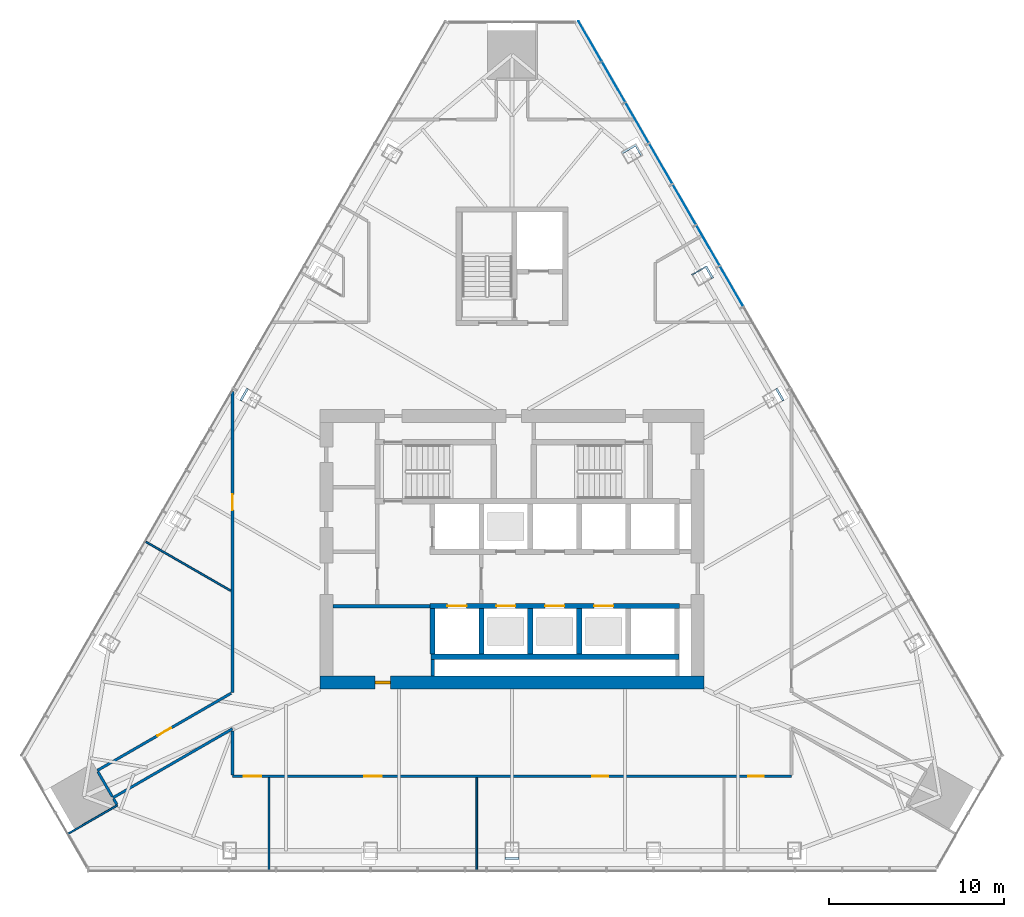
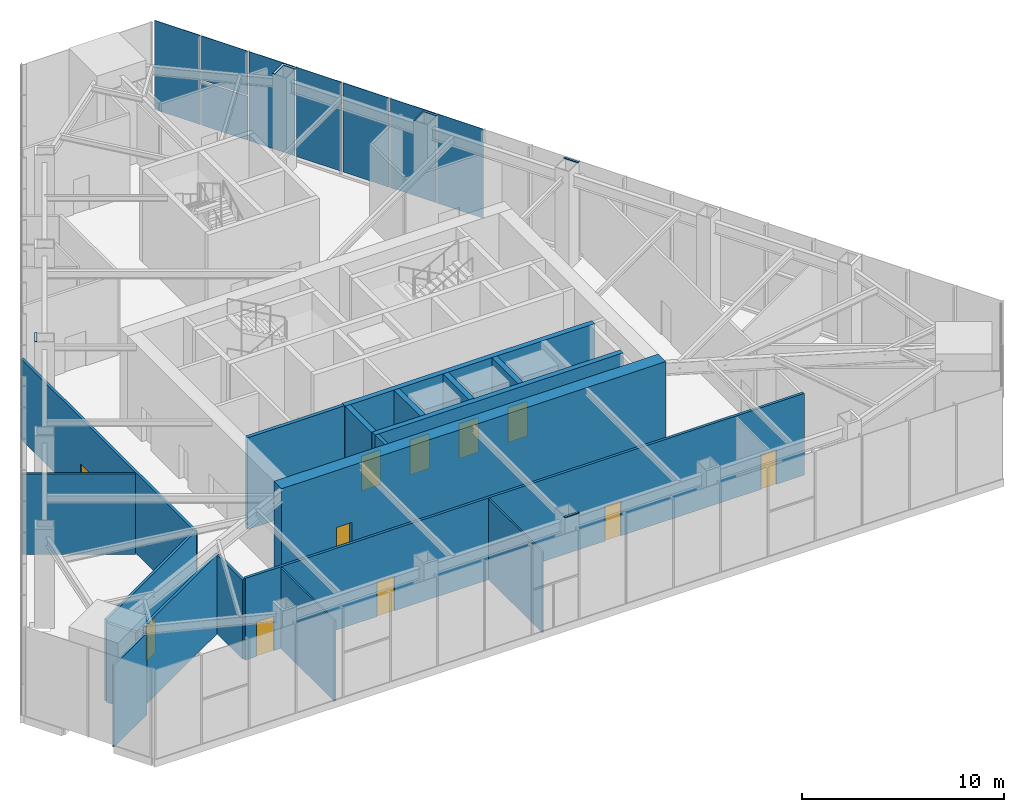
# One storey, part 10 of 16: 20 walls, 13 plates, 11 doors, 11 openings, 1 element without a shape of its own.
"""IFC4 building model written with IfcOpenShell, lengths in metres."""

from ifc_helpers import new_model, si_unit, direction, frame, frame_2d, origin, place, context, subcontext, project, spatial, polyline, rectangle, outline, extrude, material, layer, layer_set, type_object, element, fill, aggregate, save


model = new_model("IFC4")

# Units and contexts
model_context = context("Model", 3, precision=1e-05, world=origin(), true_north=direction((0.0, 1.0)))
body_context = subcontext(model_context, "Body", "Model", "MODEL_VIEW")
ifc_project = project(units=[si_unit("LENGTHUNIT", "METRE"), si_unit("AREAUNIT", "SQUARE_METRE"), si_unit("VOLUMEUNIT", "CUBIC_METRE"), si_unit("PLANEANGLEUNIT", "RADIAN"), si_unit("MASSUNIT", "GRAM", prefix="KILO")], contexts=[model_context])

# Site, building, storey
site_placement = place(None, origin())
site = spatial("IfcSite", under=ifc_project, at=site_placement, CompositionType="ELEMENT")
building_placement = place(site_placement, origin())
building = spatial("IfcBuilding", under=site, at=building_placement, Name="Firuza Gate Tower and Library", CompositionType="ELEMENT")
storey_placement = place(building_placement, frame((0.0, 0.0, 241.60009765625)))
storey = spatial("IfcBuildingStorey", under=building, at=storey_placement, Name="L57", CompositionType="ELEMENT", Elevation=241.60009765625)

# Plates
ifc_material_1 = material(Name="Steel S355", Category="steel")
ifc_layer_1 = layer(ifc_material_1, 0.030029296875)
ifc_layer_set_1 = layer_set([ifc_layer_1], Name="Column infill plate 30 Steel S355")
plate_type_1 = type_object("IfcPlateType", Name="Column infill plate 30 Steel S355", PredefinedType="SHEET", material=ifc_layer_set_1)
placement = place(storey_placement, frame((0.0, 0.0, 6.0)))
element("IfcPlate", 1, at=placement, inside=storey, type_object=plate_type_1, Name="Infill plate L57:S3", PredefinedType="SHEET", context=body_context, shape_type="SweptSolid", body=[
    extrude(outline(polyline([(75.39990234375, 57.235107421875), (75.39990234375, 57.35791015625), (74.60009765625, 57.35791015625), (74.60009765625, 57.235107421875), (75.39990234375, 57.235107421875)])), origin(), (0.0, 0.0, 1.0), 0.02978515625),
])
element("IfcPlate", 2, at=placement, inside=storey, type_object=plate_type_1, Name="Infill plate L57:E3", PredefinedType="SHEET", context=body_context, shape_type="SweptSolid", body=[
    extrude(outline(polyline([(89.31884765625, 83.728759765625), (89.31884765625, 83.728759765625), (90.07861328125, 84.16748046875), (90.478515625, 83.474609375), (90.584716796875, 83.535888671875), (90.184814453125, 84.228759765625), (89.31884765625, 83.728759765625)])), origin(), (0.0, 0.0, 1.0), 0.02978515625),
])
element("IfcPlate", 3, at=placement, inside=storey, type_object=plate_type_1, Name="Infill plate L57:E4", PredefinedType="SHEET", context=body_context, shape_type="SweptSolid", body=[
    extrude(outline(polyline([(85.275146484375, 90.732666015625), (85.310546875, 90.67138671875), (86.0703125, 91.110107421875), (86.434814453125, 90.478759765625), (86.541015625, 90.5400390625), (86.14111328125, 91.232666015625), (85.275146484375, 90.732666015625)])), origin(), (0.0, 0.0, 1.0), 0.02978515625),
])
element("IfcPlate", 4, at=placement, inside=storey, type_object=plate_type_1, Name="Infill plate L57:E5", PredefinedType="SHEET", context=body_context, shape_type="SweptSolid", body=[
    extrude(outline(polyline([(81.231201171875, 97.73681640625), (81.302001953125, 97.614013671875), (82.06201171875, 98.052734375), (82.39111328125, 97.482666015625), (82.497314453125, 97.5439453125), (82.097412109375, 98.23681640625), (81.231201171875, 97.73681640625)])), origin(), (0.0, 0.0, 1.0), 0.02978515625),
])
element("IfcPlate", 5, at=placement, inside=storey, type_object=plate_type_1, Name="Infill plate L57:W3", PredefinedType="SHEET", context=body_context, shape_type="SweptSolid", body=[
    extrude(outline(polyline([(59.415283203125, 83.535888671875), (59.521484375, 83.474609375), (59.92138671875, 84.16748046875), (60.68115234375, 83.728759765625), (60.68115234375, 83.728759765625), (59.815185546875, 84.228759765625), (59.415283203125, 83.535888671875)])), origin(), (0.0, 0.0, 1.0), 0.02978515625),
])

# Curtain wall, plates
ifc_material_2 = material(Name="Aluminium 6063-T6", Category="aluminium")
ifc_layer_2 = layer(ifc_material_2, 0.14990234375)
ifc_layer_set_2 = layer_set([ifc_layer_2], Name="Unitised curtain wall, hotel")
curtain_wall_type = type_object("IfcCurtainWallType", Name="Unitised curtain wall, hotel", PredefinedType="NOTDEFINED", material=ifc_layer_set_2)
curtain_wall_placement = place(storey_placement, origin())
curtain_wall = element("IfcCurtainWall", 6, at=curtain_wall_placement, inside=storey, type_object=curtain_wall_type, Name="CW2 L57 E face", PredefinedType="NOTDEFINED")
ifc_material_3 = material(Name="Fritted glass", Category="glass")
ifc_layer_3 = layer(ifc_material_3, 0.030029296875)
ifc_layer_set_3 = layer_set([ifc_layer_3], Name="Fritted glass unit, hotel")
plate_type_2 = type_object("IfcPlateType", Name="Fritted glass unit, hotel", PredefinedType="CURTAIN_PANEL", material=ifc_layer_set_3)
plate_6_placement = place(storey_placement, frame((81.484130859375, 100.618896484375, 2.889892578125), z_axis=(0.866027344229, 0.499996639036, 0.0), x_axis=(-0.499996639036, 0.866027344229, 0.0)))
plate_6 = element("IfcPlate", 7, at=plate_6_placement, type_object=plate_type_2, Name="Glass unit", PredefinedType="CURTAIN_PANEL", context=body_context, shape_type="SweptSolid", body=[
    extrude(outline(polyline([(0.0, 0.0), (2.6206230843898872, 0.0), (2.6206230843898872, 2.659912109375), (0.0, 2.659912109375), (0.0, 0.0)])), origin(), (0.0, 0.0, -1.0), 0.030029296875),
])
ifc_material_4 = material(Name="Glazed ceramic tile")
ifc_layer_4 = layer(ifc_material_4, 0.030029296875)
ifc_layer_set_4 = layer_set([ifc_layer_4], Name="Opaque ceramic panel, hotel")
plate_type_3 = type_object("IfcPlateType", Name="Opaque ceramic panel, hotel", PredefinedType="CURTAIN_PANEL", material=ifc_layer_set_4)
plate_7_placement = place(storey_placement, frame((88.23583984375, 88.9248046875, 0.14990234375), z_axis=(0.866027344229, 0.499996639036, 0.0), x_axis=(-0.499996639036, 0.866027344229, 0.0)))
plate_7 = element("IfcPlate", 8, at=plate_7_placement, type_object=plate_type_3, Name="Opaque ceramic panel", PredefinedType="CURTAIN_PANEL", context=body_context, shape_type="SweptSolid", body=[
    extrude(outline(polyline([(0.0, 0.0), (2.6206230843898872, 0.0), (2.6206230843898872, 5.39990234375), (0.0, 5.39990234375), (0.0, 0.0)])), origin(), (0.0, 0.0, -1.0), 0.030029296875),
])
plate_8_placement = place(storey_placement, frame((86.885498046875, 91.263427734375, 0.14990234375), z_axis=(0.866027344229, 0.499996639036, 0.0), x_axis=(-0.499996639036, 0.866027344229, 0.0)))
plate_8 = element("IfcPlate", 9, at=plate_8_placement, type_object=plate_type_3, Name="Opaque ceramic panel", PredefinedType="CURTAIN_PANEL", context=body_context, shape_type="SweptSolid", body=[
    extrude(outline(polyline([(0.0, 0.0), (2.6206230843898872, 0.0), (2.6206230843898872, 5.39990234375), (0.0, 5.39990234375), (0.0, 0.0)])), origin(), (0.0, 0.0, -1.0), 0.030029296875),
])
plate_9_placement = place(storey_placement, frame((85.53515625, 93.602294921875, 0.14990234375), z_axis=(0.866027344229, 0.499996639036, 0.0), x_axis=(-0.499996639036, 0.866027344229, 0.0)))
plate_9 = element("IfcPlate", 10, at=plate_9_placement, type_object=plate_type_3, Name="Opaque ceramic panel", PredefinedType="CURTAIN_PANEL", context=body_context, shape_type="SweptSolid", body=[
    extrude(outline(polyline([(0.0, 0.0), (2.6206230843898872, 0.0), (2.6206230843898872, 5.39990234375), (0.0, 5.39990234375), (0.0, 0.0)])), origin(), (0.0, 0.0, -1.0), 0.030029296875),
])
plate_10_placement = place(storey_placement, frame((84.184814453125, 95.941162109375, 0.14990234375), z_axis=(0.866027344229, 0.499996639036, 0.0), x_axis=(-0.499996639036, 0.866027344229, 0.0)))
plate_10 = element("IfcPlate", 11, at=plate_10_placement, type_object=plate_type_3, Name="Opaque ceramic panel", PredefinedType="CURTAIN_PANEL", context=body_context, shape_type="SweptSolid", body=[
    extrude(outline(polyline([(0.0, 0.0), (2.6206230843898872, 0.0), (2.6206230843898872, 5.39990234375), (0.0, 5.39990234375), (0.0, 0.0)])), origin(), (0.0, 0.0, -1.0), 0.030029296875),
])
plate_11_placement = place(storey_placement, frame((82.83447265625, 98.280029296875, 0.14990234375), z_axis=(0.866027344229, 0.499996639036, 0.0), x_axis=(-0.499996639036, 0.866027344229, 0.0)))
plate_11 = element("IfcPlate", 12, at=plate_11_placement, type_object=plate_type_3, Name="Opaque ceramic panel", PredefinedType="CURTAIN_PANEL", context=body_context, shape_type="SweptSolid", body=[
    extrude(outline(polyline([(0.0, 0.0), (2.6206230843898872, 0.0), (2.6206230843898872, 5.39990234375), (0.0, 5.39990234375), (0.0, 0.0)])), origin(), (0.0, 0.0, -1.0), 0.030029296875),
])
plate_12_placement = place(storey_placement, frame((81.484130859375, 100.618896484375, 0.14990234375), z_axis=(0.866027344229, 0.499996639036, 0.0), x_axis=(-0.499996639036, 0.866027344229, 0.0)))
plate_12 = element("IfcPlate", 13, at=plate_12_placement, type_object=plate_type_3, Name="Opaque ceramic panel", PredefinedType="CURTAIN_PANEL", context=body_context, shape_type="SweptSolid", body=[
    extrude(outline(polyline([(0.0, 0.0), (2.6206230843898872, 0.0), (2.6206230843898872, 2.659912109375), (0.0, 2.659912109375), (0.0, 0.0)])), origin(), (0.0, 0.0, -1.0), 0.030029296875),
])
plate_13_placement = place(storey_placement, frame((80.1337890625, 102.95751953125, 0.14990234375), z_axis=(0.866027344229, 0.499996639036, 0.0), x_axis=(-0.499996639036, 0.866027344229, 0.0)))
plate_13 = element("IfcPlate", 14, at=plate_13_placement, type_object=plate_type_3, Name="Opaque ceramic panel", PredefinedType="CURTAIN_PANEL", context=body_context, shape_type="SweptSolid", body=[
    extrude(outline(polyline([(0.0, 0.0), (2.6206230843898872, 0.0), (2.6206230843898872, 5.39990234375), (0.0, 5.39990234375), (0.0, 0.0)])), origin(), (0.0, 0.0, -1.0), 0.030029296875),
])
aggregate(curtain_wall, [plate_7, plate_8, plate_9, plate_10, plate_11, plate_12, plate_6, plate_13])

# Walls
ifc_material_5 = material(Name="Plasterboard on steel studs", Category="steel")
ifc_layer_5 = layer(ifc_material_5, 0.199951171875)
ifc_layer_set_5 = layer_set([ifc_layer_5], Name="Core partition 200 EI 120")
wall_type_1 = type_object("IfcWallType", Name="Core partition 200 EI 120", PredefinedType="PARTITIONING", material=ifc_layer_set_5)
wall_1_placement = place(storey_placement, frame((64.75, 71.75, 0.0), z_axis=(0.0, 0.0, 1.0), x_axis=(1.0, 0.0, 0.0)))
element("IfcWall", 15, at=wall_1_placement, inside=storey, type_object=wall_type_1, Name="Core partition L57 1", PredefinedType="PARTITIONING", context=body_context, shape_type="SweptSolid", body=[
    extrude(rectangle(XDim=5.550048828125, YDim=0.199951171875, at=frame_2d((2.77490234375, 0.0))), origin(), (0.0, 0.0, 1.0), 5.5498046875),
])
wall_2_placement = place(storey_placement, frame((70.449951171875, 67.75, 0.0), z_axis=(0.0, 0.0, 1.0), x_axis=(0.0, 1.0, 0.0)))
element("IfcWall", 16, at=wall_2_placement, inside=storey, type_object=wall_type_1, Name="Core partition L57 9", PredefinedType="PARTITIONING", context=body_context, shape_type="SweptSolid", body=[
    extrude(rectangle(XDim=0.949951171875, YDim=0.199951171875, at=frame_2d((0.47509765625, 0.0))), origin(), (0.0, 0.0, 1.0), 5.5498046875),
])
ifc_material_6 = material(Name="Concrete C80/95", Category="concrete")
ifc_layer_6 = layer(ifc_material_6, 0.300048828125)
ifc_layer_set_6 = layer_set([ifc_layer_6], Name="Core wall 300 C80/95")
wall_type_2 = type_object("IfcWallType", Name="Core wall 300 C80/95", PredefinedType="SHEAR", material=ifc_layer_set_6)
wall_3_placement = place(storey_placement, frame((70.35009765625, 68.85009765625, 0.0), z_axis=(0.0, 0.0, 1.0), x_axis=(1.0, 0.0, 0.0)))
element("IfcWall", 17, at=wall_3_placement, inside=storey, type_object=wall_type_2, Name="Core wall L57 5", PredefinedType="SHEAR", context=body_context, shape_type="SweptSolid", body=[
    extrude(rectangle(XDim=14.199951171875, YDim=0.300048828125, at=frame_2d((7.10009765625, 0.0))), origin(), (0.0, 0.0, 1.0), 5.5498046875),
])

# Wall, openings, doors
wall_4_placement = place(storey_placement, frame((70.300048828125, 71.75, 0.0), z_axis=(0.0, 0.0, 1.0), x_axis=(1.0, 0.0, 0.0)))
wall_4 = element("IfcWall", 18, at=wall_4_placement, inside=storey, type_object=wall_type_2, Name="Core wall L57 6", PredefinedType="SHEAR", context=body_context, shape_type="SweptSolid", body=[
    extrude(rectangle(XDim=14.300048828125, YDim=0.300048828125, at=frame_2d((7.14990234375, 0.0))), origin(), (0.0, 0.0, 1.0), 5.5498046875),
])
opening_1_placement = place(wall_4_placement, frame((1.0, 0.0, 0.0)))
opening_1 = element("IfcOpeningElement", 19, at=opening_1_placement, cuts=wall_4, Name="Opening LD-FF1-L57", PredefinedType="OPENING", context=body_context, shape_type="SweptSolid", body=[
    extrude(rectangle(XDim=1.10009765625, YDim=2.10009765625, at=frame_2d((0.550048828125, 1.050048828125))), frame((0.0, 0.16015625, 0.0), z_axis=(0.0, -1.0, 0.0), x_axis=(1.0, 0.0, 0.0)), (0.0, 0.0, 1.0), 0.320068359375),
])
opening_2_placement = place(wall_4_placement, frame((3.800048828125, 0.0, 0.0)))
opening_2 = element("IfcOpeningElement", 20, at=opening_2_placement, cuts=wall_4, Name="Opening LD-HR1-L57", PredefinedType="OPENING", context=body_context, shape_type="SweptSolid", body=[
    extrude(rectangle(XDim=1.10009765625, YDim=2.10009765625, at=frame_2d((0.550048828125, 1.050048828125))), frame((0.0, 0.16015625, 0.0), z_axis=(0.0, -1.0, 0.0), x_axis=(1.0, 0.0, 0.0)), (0.0, 0.0, 1.0), 0.320068359375),
])
opening_3_placement = place(wall_4_placement, frame((6.60009765625, 0.0, 0.0)))
opening_3 = element("IfcOpeningElement", 21, at=opening_3_placement, cuts=wall_4, Name="Opening LD-HR2-L57", PredefinedType="OPENING", context=body_context, shape_type="SweptSolid", body=[
    extrude(rectangle(XDim=1.10009765625, YDim=2.10009765625, at=frame_2d((0.550048828125, 1.050048828125))), frame((0.0, 0.16015625, 0.0), z_axis=(0.0, -1.0, 0.0), x_axis=(1.0, 0.0, 0.0)), (0.0, 0.0, 1.0), 0.320068359375),
])
opening_4_placement = place(wall_4_placement, frame((9.39990234375, 0.0, 0.0)))
opening_4 = element("IfcOpeningElement", 22, at=opening_4_placement, cuts=wall_4, Name="Opening LD-HR3-L57", PredefinedType="OPENING", context=body_context, shape_type="SweptSolid", body=[
    extrude(rectangle(XDim=1.10009765625, YDim=2.10009765625, at=frame_2d((0.550048828125, 1.050048828125))), frame((0.0, 0.16015625, 0.0), z_axis=(0.0, -1.0, 0.0), x_axis=(1.0, 0.0, 0.0)), (0.0, 0.0, 1.0), 0.320068359375),
])
ifc_material_7 = material(Name="Stainless steel", Category="steel")
door_type_1 = type_object("IfcDoorType", Name="Lift landing door 1100x2100", OperationType="DOUBLE_DOOR_SLIDING", PredefinedType="DOOR", material=ifc_material_7)
door_1_placement = place(opening_1_placement, origin())
door_1 = element("IfcDoor", 23, at=door_1_placement, inside=storey, type_object=door_type_1, Name="Landing door FF1 L57", OperationType="DOUBLE_DOOR_SLIDING", OverallHeight=2.10009765625, OverallWidth=1.10009765625, PredefinedType="DOOR", context=body_context, shape_type="SweptSolid", body=[
    extrude(rectangle(XDim=1.10009765625, YDim=2.10009765625, at=frame_2d((0.550048828125, 1.050048828125))), frame((0.0, 0.02490234375, 0.0), z_axis=(0.0, -1.0, 0.0), x_axis=(1.0, 0.0, 0.0)), (0.0, 0.0, 1.0), 0.050048828125),
])
fill(opening_1, door_1)
door_2_placement = place(opening_2_placement, origin())
door_2 = element("IfcDoor", 24, at=door_2_placement, inside=storey, type_object=door_type_1, Name="Landing door HR1 L57", OperationType="DOUBLE_DOOR_SLIDING", OverallHeight=2.10009765625, OverallWidth=1.10009765625, PredefinedType="DOOR", context=body_context, shape_type="SweptSolid", body=[
    extrude(rectangle(XDim=1.10009765625, YDim=2.10009765625, at=frame_2d((0.550048828125, 1.050048828125))), frame((0.0, 0.02490234375, 0.0), z_axis=(0.0, -1.0, 0.0), x_axis=(1.0, 0.0, 0.0)), (0.0, 0.0, 1.0), 0.050048828125),
])
fill(opening_2, door_2)
door_3_placement = place(opening_3_placement, origin())
door_3 = element("IfcDoor", 25, at=door_3_placement, inside=storey, type_object=door_type_1, Name="Landing door HR2 L57", OperationType="DOUBLE_DOOR_SLIDING", OverallHeight=2.10009765625, OverallWidth=1.10009765625, PredefinedType="DOOR", context=body_context, shape_type="SweptSolid", body=[
    extrude(rectangle(XDim=1.10009765625, YDim=2.10009765625, at=frame_2d((0.550048828125, 1.050048828125))), frame((0.0, 0.02490234375, 0.0), z_axis=(0.0, -1.0, 0.0), x_axis=(1.0, 0.0, 0.0)), (0.0, 0.0, 1.0), 0.050048828125),
])
fill(opening_3, door_3)
door_4_placement = place(opening_4_placement, origin())
door_4 = element("IfcDoor", 26, at=door_4_placement, inside=storey, type_object=door_type_1, Name="Landing door HR3 L57", OperationType="DOUBLE_DOOR_SLIDING", OverallHeight=2.10009765625, OverallWidth=1.10009765625, PredefinedType="DOOR", context=body_context, shape_type="SweptSolid", body=[
    extrude(rectangle(XDim=1.10009765625, YDim=2.10009765625, at=frame_2d((0.550048828125, 1.050048828125))), frame((0.0, 0.02490234375, 0.0), z_axis=(0.0, -1.0, 0.0), x_axis=(1.0, 0.0, 0.0)), (0.0, 0.0, 1.0), 0.050048828125),
])
fill(opening_4, door_4)

# Walls
for number, where, z_axis, x_axis, name in (
    (27, (70.449951171875, 69.0, 0.0), (0.0, 0.0, 1.0), (0.0, 1.0, 0.0), "Core wall L57 8"),
    (28, (73.25, 69.0, 0.0), (0.0, 0.0, 1.0), (0.0, 1.0, 0.0), "Core wall L57 10"),
    (29, (76.050048828125, 69.0, 0.0), (0.0, 0.0, 1.0), (0.0, 1.0, 0.0), "Core wall L57 12"),
    (30, (78.85009765625, 69.0, 0.0), (0.0, 0.0, 1.0), (0.0, 1.0, 0.0), "Core wall L57 14"),
):
    element("IfcWall", number, at=place(storey_placement, frame(where, z_axis=z_axis, x_axis=x_axis)), inside=storey, type_object=wall_type_2, Name=name, PredefinedType="SHEAR", context=body_context, shape_type="SweptSolid", body=[
        extrude(rectangle(XDim=2.60009765625, YDim=0.300048828125, at=frame_2d((1.300048828125, 0.0))), origin(), (0.0, 0.0, 1.0), 5.5498046875),
    ])

# Wall, opening, door
ifc_material_8 = material(Name="Concrete C80/95", Category="concrete")
ifc_layer_7 = layer(ifc_material_8, 0.75)
ifc_layer_set_7 = layer_set([ifc_layer_7], Name="Core wall 750 C80/95")
wall_type_3 = type_object("IfcWallType", Name="Core wall 750 C80/95", PredefinedType="SHEAR", material=ifc_layer_set_7)
wall_5_placement = place(storey_placement, frame((64.0, 67.375, 0.0), z_axis=(0.0, 0.0, 1.0), x_axis=(1.0, 0.0, 0.0)))
wall_5 = element("IfcWall", 31, at=wall_5_placement, inside=storey, type_object=wall_type_3, Name="Core wall L57 1", PredefinedType="SHEAR", context=body_context, shape_type="SweptSolid", body=[
    extrude(rectangle(XDim=22.0, YDim=0.75, at=frame_2d((11.0, 0.0))), origin(), (0.0, 0.0, 1.0), 5.5498046875),
])
opening_5_placement = place(wall_5_placement, frame((3.14990234375, 0.0, 0.0)))
opening_5 = element("IfcOpeningElement", 32, at=opening_5_placement, cuts=wall_5, Name="Opening L57-K22", PredefinedType="OPENING", context=body_context, shape_type="SweptSolid", body=[
    extrude(rectangle(XDim=0.89990234375, YDim=2.10009765625, at=frame_2d((0.449951171875, 1.050048828125))), frame((0.0, 0.385009765625, 0.0), z_axis=(0.0, -1.0, 0.0), x_axis=(1.0, 0.0, 0.0)), (0.0, 0.0, 1.0), 0.77001953125),
])
ifc_material_9 = material(Name="Steel", Category="steel")
door_type_2 = type_object("IfcDoorType", Name="Fire door 900x2100 FD30S", OperationType="NOTDEFINED", PredefinedType="DOOR", material=ifc_material_9)
door_5_placement = place(opening_5_placement, origin())
door_5 = element("IfcDoor", 33, at=door_5_placement, inside=storey, type_object=door_type_2, Name="Door L57-K22", OperationType="SINGLE_SWING_LEFT", OverallHeight=2.10009765625, OverallWidth=0.89990234375, PredefinedType="DOOR", context=body_context, shape_type="SweptSolid", body=[
    extrude(rectangle(XDim=0.89990234375, YDim=2.10009765625, at=frame_2d((0.449951171875, 1.050048828125))), frame((0.0, 0.094970703125, 0.0), z_axis=(0.0, -1.0, 0.0), x_axis=(1.0, 0.0, 0.0)), (0.0, 0.0, 1.0), 0.18994140625),
])
fill(opening_5, door_5)

# Wall, openings, doors
ifc_material_10 = material(Name="Gypsum board partition")
ifc_layer_8 = layer(ifc_material_10, 0.14990234375)
ifc_layer_set_8 = layer_set([ifc_layer_8], Name="Corridor wall 150 double board on steel studs")
wall_type_4 = type_object("IfcWallType", Name="Corridor wall 150 double board on steel studs", PredefinedType="PARTITIONING", material=ifc_layer_set_8)
wall_6_placement = place(storey_placement, frame((90.99951171875, 62.0, 0.0), z_axis=(0.0, 0.0, 1.0), x_axis=(-1.0, 0.0, 0.0)))
wall_6 = element("IfcWall", 34, at=wall_6_placement, inside=storey, type_object=wall_type_4, Name="f:L57:w000", PredefinedType="PARTITIONING", context=body_context, shape_type="SweptSolid", body=[
    extrude(rectangle(XDim=31.9990234375, YDim=0.14990234375, at=frame_2d((15.99951171875, 0.0))), origin(), (0.0, 0.0, 1.0), 4.949951171875),
])
opening_6_placement = place(wall_6_placement, frame((1.585693359375, 0.0, 0.0)))
opening_6 = element("IfcOpeningElement", 35, at=opening_6_placement, cuts=wall_6, Name="Opening L57-01", PredefinedType="OPENING", context=body_context, shape_type="SweptSolid", body=[
    extrude(rectangle(XDim=0.89990234375, YDim=2.10009765625, at=frame_2d((0.449951171875, 1.050048828125))), frame((0.0, 0.0849609375, 0.0), z_axis=(0.0, -1.0, 0.0), x_axis=(1.0, 0.0, 0.0)), (0.0, 0.0, 1.0), 0.169921875),
])
opening_7_placement = place(wall_6_placement, frame((10.494873046875, 0.0, 0.0)))
opening_7 = element("IfcOpeningElement", 36, at=opening_7_placement, cuts=wall_6, Name="Opening L57-02", PredefinedType="OPENING", context=body_context, shape_type="SweptSolid", body=[
    extrude(rectangle(XDim=0.89990234375, YDim=2.10009765625, at=frame_2d((0.449951171875, 1.050048828125))), frame((0.0, 0.0849609375, 0.0), z_axis=(0.0, -1.0, 0.0), x_axis=(1.0, 0.0, 0.0)), (0.0, 0.0, 1.0), 0.169921875),
])
opening_8_placement = place(wall_6_placement, frame((23.466552734375, 0.0, 0.0)))
opening_8 = element("IfcOpeningElement", 37, at=opening_8_placement, cuts=wall_6, Name="Opening L57-03", PredefinedType="OPENING", context=body_context, shape_type="SweptSolid", body=[
    extrude(rectangle(XDim=1.0, YDim=2.10009765625, at=frame_2d((0.5, 1.050048828125))), frame((0.0, 0.0849609375, 0.0), z_axis=(0.0, -1.0, 0.0), x_axis=(1.0, 0.0, 0.0)), (0.0, 0.0, 1.0), 0.169921875),
])
opening_9_placement = place(wall_6_placement, frame((30.353759765625, 0.0, 0.0)))
opening_9 = element("IfcOpeningElement", 38, at=opening_9_placement, cuts=wall_6, Name="Opening L57-04", PredefinedType="OPENING", context=body_context, shape_type="SweptSolid", body=[
    extrude(rectangle(XDim=1.0, YDim=2.10009765625, at=frame_2d((0.5, 1.050048828125))), frame((0.0, 0.0849609375, 0.0), z_axis=(0.0, -1.0, 0.0), x_axis=(1.0, 0.0, 0.0)), (0.0, 0.0, 1.0), 0.169921875),
])
ifc_material_11 = material(Name="Steel door and timber leaf", Category="steel")
door_type_3 = type_object("IfcDoorType", Name="Fire door 1000 x 2100 steel frame, timber leaf", OperationType="NOTDEFINED", PredefinedType="DOOR", material=ifc_material_11)
door_6_placement = place(opening_8_placement, origin())
door_6 = element("IfcDoor", 39, at=door_6_placement, inside=storey, type_object=door_type_3, Name="f:L57:d003", OperationType="SINGLE_SWING_LEFT", OverallHeight=2.10009765625, OverallWidth=1.0, PredefinedType="DOOR", context=body_context, shape_type="SweptSolid", body=[
    extrude(rectangle(XDim=1.0, YDim=2.10009765625, at=frame_2d((0.5, 1.050048828125))), frame((0.0, 0.02490234375, 0.0), z_axis=(0.0, -1.0, 0.0), x_axis=(1.0, 0.0, 0.0)), (0.0, 0.0, 1.0), 0.050048828125),
])
fill(opening_8, door_6)
door_7_placement = place(opening_9_placement, origin())
door_7 = element("IfcDoor", 40, at=door_7_placement, inside=storey, type_object=door_type_3, Name="f:L57:d004", OperationType="SINGLE_SWING_RIGHT", OverallHeight=2.10009765625, OverallWidth=1.0, PredefinedType="DOOR", context=body_context, shape_type="SweptSolid", body=[
    extrude(rectangle(XDim=1.0, YDim=2.10009765625, at=frame_2d((0.5, 1.050048828125))), frame((0.0, 0.02490234375, 0.0), z_axis=(0.0, -1.0, 0.0), x_axis=(1.0, 0.0, 0.0)), (0.0, 0.0, 1.0), 0.050048828125),
])
fill(opening_9, door_7)
ifc_material_12 = material(Name="Steel door and timber leaf", Category="steel")
door_type_4 = type_object("IfcDoorType", Name="Fire door 900 x 2100 steel frame, timber leaf", OperationType="NOTDEFINED", PredefinedType="DOOR", material=ifc_material_12)
door_8_placement = place(opening_6_placement, origin())
door_8 = element("IfcDoor", 41, at=door_8_placement, inside=storey, type_object=door_type_4, Name="f:L57:d001", OperationType="SINGLE_SWING_LEFT", OverallHeight=2.10009765625, OverallWidth=0.89990234375, PredefinedType="DOOR", context=body_context, shape_type="SweptSolid", body=[
    extrude(rectangle(XDim=0.89990234375, YDim=2.10009765625, at=frame_2d((0.449951171875, 1.050048828125))), frame((0.0, 0.02490234375, 0.0), z_axis=(0.0, -1.0, 0.0), x_axis=(1.0, 0.0, 0.0)), (0.0, 0.0, 1.0), 0.050048828125),
])
fill(opening_6, door_8)
door_9_placement = place(opening_7_placement, origin())
door_9 = element("IfcDoor", 42, at=door_9_placement, inside=storey, type_object=door_type_4, Name="f:L57:d002", OperationType="SINGLE_SWING_RIGHT", OverallHeight=2.10009765625, OverallWidth=0.89990234375, PredefinedType="DOOR", context=body_context, shape_type="SweptSolid", body=[
    extrude(rectangle(XDim=0.89990234375, YDim=2.10009765625, at=frame_2d((0.449951171875, 1.050048828125))), frame((0.0, 0.02490234375, 0.0), z_axis=(0.0, -1.0, 0.0), x_axis=(1.0, 0.0, 0.0)), (0.0, 0.0, 1.0), 0.050048828125),
])
fill(opening_7, door_9)

# Wall
wall_7_placement = place(storey_placement, frame((52.1591796875, 60.773681640625, 0.0), z_axis=(0.0, 0.0, 1.0), x_axis=(0.866030148722, 0.499991781437, 0.0)))
element("IfcWall", 43, at=wall_7_placement, inside=storey, type_object=wall_type_4, Name="f:L57:w008", PredefinedType="PARTITIONING", context=body_context, shape_type="SweptSolid", body=[
    extrude(rectangle(XDim=7.899169921875, YDim=0.14990234375, at=frame_2d((3.94970703125, 0.0))), origin(), (0.0, 0.0, 1.0), 4.796875),
])

# Wall, opening, door
wall_8_placement = place(storey_placement, frame((51.25927734375, 62.33251953125, 0.0), z_axis=(0.0, 0.0, 1.0), x_axis=(0.866028044417, 0.499995426262, 0.0)))
wall_8 = element("IfcWall", 44, at=wall_8_placement, inside=storey, type_object=wall_type_4, Name="f:L57:w009", PredefinedType="PARTITIONING", context=body_context, shape_type="SweptSolid", body=[
    extrude(rectangle(XDim=8.8515625, YDim=0.14990234375, at=frame_2d((4.42578125, 0.0))), origin(), (0.0, 0.0, 1.0), 4.949951171875),
])
opening_10_placement = place(wall_8_placement, frame((3.975830078125, 0.0, 0.0)))
opening_10 = element("IfcOpeningElement", 45, at=opening_10_placement, cuts=wall_8, Name="Opening L57-09", PredefinedType="OPENING", context=body_context, shape_type="SweptSolid", body=[
    extrude(rectangle(XDim=0.89990234375, YDim=2.10009765625, at=frame_2d((0.449951171875, 1.050048828125))), frame((0.0, 0.0849609375, 0.0), z_axis=(0.0, -1.0, 0.0), x_axis=(1.0, 0.0, 0.0)), (0.0, 0.0, 1.0), 0.169921875),
])
door_10_placement = place(opening_10_placement, origin())
door_10 = element("IfcDoor", 46, at=door_10_placement, inside=storey, type_object=door_type_4, Name="f:L57:d009", OperationType="SINGLE_SWING_LEFT", OverallHeight=2.10009765625, OverallWidth=0.89990234375, PredefinedType="DOOR", context=body_context, shape_type="SweptSolid", body=[
    extrude(rectangle(XDim=0.89990234375, YDim=2.10009765625, at=frame_2d((0.449951171875, 1.050048828125))), frame((0.0, 0.02490234375, 0.0), z_axis=(0.0, -1.0, 0.0), x_axis=(1.0, 0.0, 0.0)), (0.0, 0.0, 1.0), 0.050048828125),
])
fill(opening_10, door_10)

# Wall
wall_9_placement = place(storey_placement, frame((59.0, 62.075439453125, 0.0), z_axis=(0.0, 0.0, 1.0), x_axis=(0.0, 1.0, 0.0)))
element("IfcWall", 47, at=wall_9_placement, inside=storey, type_object=wall_type_4, Name="f:L57:w023", PredefinedType="PARTITIONING", context=body_context, shape_type="SweptSolid", body=[
    extrude(rectangle(XDim=2.510986328125, YDim=0.14990234375, at=frame_2d((1.25537109375, 0.0))), origin(), (0.0, 0.0, 1.0), 4.796875),
])

# Wall, opening, door
wall_10_placement = place(storey_placement, frame((59.0, 66.8017578125, 0.0), z_axis=(0.0, 0.0, 1.0), x_axis=(0.0, 1.0, 0.0)))
wall_10 = element("IfcWall", 48, at=wall_10_placement, inside=storey, type_object=wall_type_4, Name="f:L57:w024", PredefinedType="PARTITIONING", context=body_context, shape_type="SweptSolid", body=[
    extrude(rectangle(XDim=17.215087890625, YDim=0.14990234375, at=frame_2d((8.607421875, 0.0))), origin(), (0.0, 0.0, 1.0), 4.871826171875),
])
opening_11_placement = place(wall_10_placement, frame((10.4375, 0.0, 0.0)))
opening_11 = element("IfcOpeningElement", 49, at=opening_11_placement, cuts=wall_10, Name="Opening L57-12", PredefinedType="OPENING", context=body_context, shape_type="SweptSolid", body=[
    extrude(rectangle(XDim=0.89990234375, YDim=2.10009765625, at=frame_2d((0.449951171875, 1.050048828125))), frame((0.0, 0.0849609375, 0.0), z_axis=(0.0, -1.0, 0.0), x_axis=(1.0, 0.0, 0.0)), (0.0, 0.0, 1.0), 0.169921875),
])
door_11_placement = place(opening_11_placement, origin())
door_11 = element("IfcDoor", 50, at=door_11_placement, inside=storey, type_object=door_type_4, Name="f:L57:d012", OperationType="SINGLE_SWING_RIGHT", OverallHeight=2.10009765625, OverallWidth=0.89990234375, PredefinedType="DOOR", context=body_context, shape_type="SweptSolid", body=[
    extrude(rectangle(XDim=0.89990234375, YDim=2.10009765625, at=frame_2d((0.449951171875, 1.050048828125))), frame((0.0, 0.02490234375, 0.0), z_axis=(0.0, -1.0, 0.0), x_axis=(1.0, 0.0, 0.0)), (0.0, 0.0, 1.0), 0.050048828125),
])
fill(opening_11, door_11)

# Walls
wall_11_placement = place(storey_placement, frame((52.384033203125, 60.38427734375, 0.0), z_axis=(0.0, 0.0, 1.0), x_axis=(-0.500342721131, 0.865827443207, 0.0)))
element("IfcWall", 51, at=wall_11_placement, inside=storey, type_object=wall_type_4, Name="f:L57:w025", PredefinedType="PARTITIONING", context=body_context, shape_type="SweptSolid", body=[
    extrude(rectangle(XDim=0.374755859375, YDim=0.14990234375, at=frame_2d((0.1875, 0.0))), origin(), (0.0, 0.0, 1.0), 4.949951171875),
])
wall_12_placement = place(storey_placement, frame((52.12158203125, 60.838623046875, 0.0), z_axis=(0.0, 0.0, 1.0), x_axis=(-0.499991515992, 0.866030301974, 0.0)))
element("IfcWall", 52, at=wall_12_placement, inside=storey, type_object=wall_type_4, Name="f:L57:w033", PredefinedType="PARTITIONING", context=body_context, shape_type="SweptSolid", body=[
    extrude(rectangle(XDim=1.6494140625, YDim=0.14990234375, at=frame_2d((0.82470703125, 0.0))), origin(), (0.0, 0.0, 1.0), 4.796875),
])
ifc_material_13 = material(Name="Gypsum board partition")
ifc_layer_9 = layer(ifc_material_13, 0.10009765625)
ifc_layer_set_9 = layer_set([ifc_layer_9], Name="Partition 100 gypsum board on steel studs")
wall_type_5 = type_object("IfcWallType", Name="Partition 100 gypsum board on steel studs", PredefinedType="PARTITIONING", material=ifc_layer_set_9)
wall_13_placement = place(storey_placement, frame((49.585693359375, 58.71044921875, 0.0), z_axis=(0.0, 0.0, 1.0), x_axis=(0.866003472149, 0.500037984783, 0.0)))
element("IfcWall", 53, at=wall_13_placement, inside=storey, type_object=wall_type_5, Name="f:L57:w007", PredefinedType="PARTITIONING", context=body_context, shape_type="SweptSolid", body=[
    extrude(rectangle(XDim=3.259521484375, YDim=0.10009765625, at=frame_2d((1.6298828125, 0.0))), origin(), (0.0, 0.0, 1.0), 4.949951171875),
])
for number, where, z_axis, x_axis, name in (
    (54, (72.97802734375, 56.63525390625, 0.0), (0.0, 0.0, 1.0), (0.0, 1.0, 0.0), "f:L57:w019"),
    (55, (61.087890625, 56.63525390625, 0.0), (0.0, 0.0, 1.0), (0.0, 1.0, 0.0), "f:L57:w022"),
):
    element("IfcWall", number, at=place(storey_placement, frame(where, z_axis=z_axis, x_axis=x_axis)), inside=storey, type_object=wall_type_5, Name=name, PredefinedType="PARTITIONING", context=body_context, shape_type="SweptSolid", body=[
        extrude(rectangle(XDim=5.289794921875, YDim=0.10009765625, at=frame_2d((2.64501953125, 0.0))), origin(), (0.0, 0.0, 1.0), 4.871826171875),
    ])
wall_14_placement = place(storey_placement, frame((58.899169921875, 72.623046875, 0.0), z_axis=(0.0, 0.0, 1.0), x_axis=(-0.866038463512, 0.499977379206, 0.0)))
element("IfcWall", 56, at=wall_14_placement, inside=storey, type_object=wall_type_5, Name="f:L57:w032", PredefinedType="PARTITIONING", context=body_context, shape_type="SweptSolid", body=[
    extrude(rectangle(XDim=5.609619140625, YDim=0.10009765625, at=frame_2d((2.8046875, 0.0))), origin(), (0.0, 0.0, 1.0), 4.871826171875),
])

save(model, "model.ifc")
